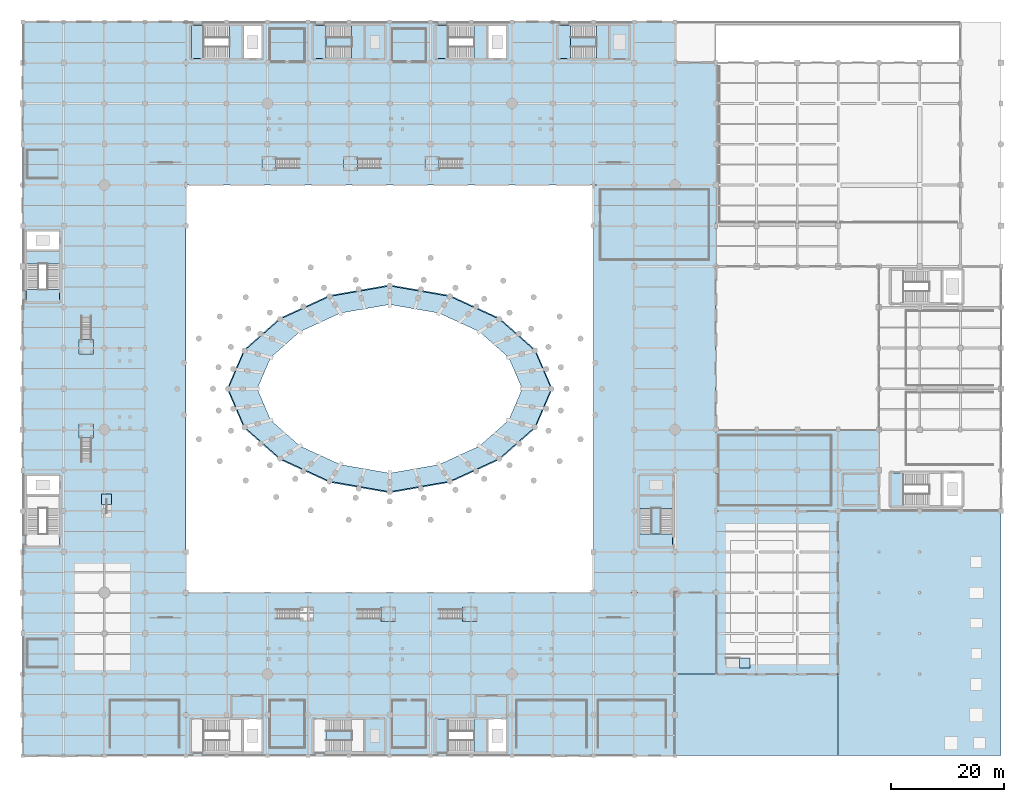
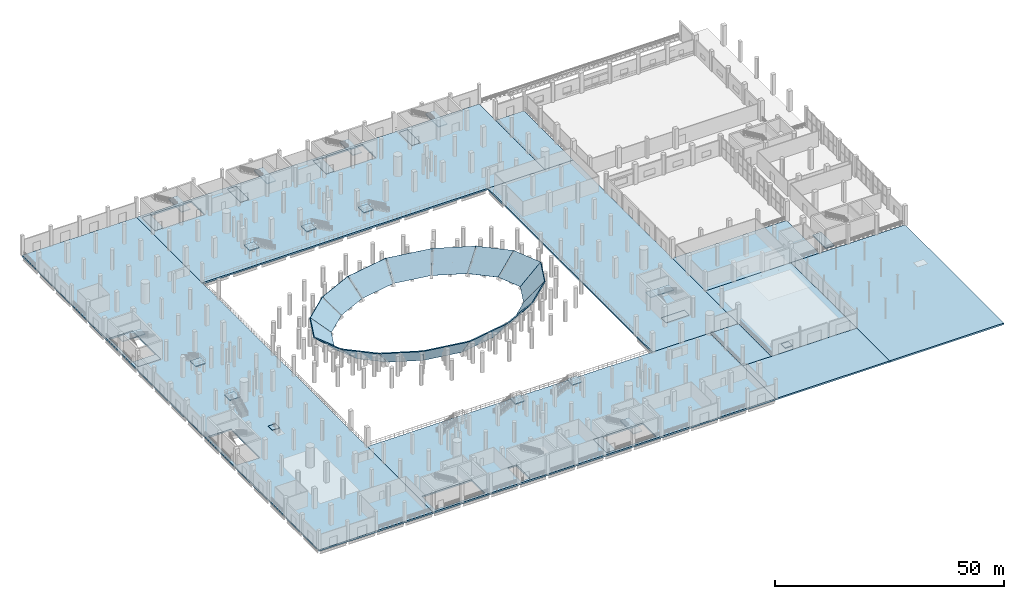
# One storey, part 29 of 58: 50 slabs, 9 elements without a shape of their own.
"""IFC4 building model written with IfcOpenShell, lengths in metres."""

from ifc_helpers import new_model, si_unit, direction, frame, origin, place, context, subcontext, project, spatial, polyline, outline, extrude, material, layer, layer_set, type_object, element, aggregate, save


model = new_model("IFC4")

# Units and contexts
model_context = context("Model", 3, precision=1e-05, world=origin(), true_north=direction((0.0, 1.0)))
body_context = subcontext(model_context, "Body", "Model", "MODEL_VIEW")
ifc_project = project(units=[si_unit("LENGTHUNIT", "METRE"), si_unit("AREAUNIT", "SQUARE_METRE"), si_unit("VOLUMEUNIT", "CUBIC_METRE"), si_unit("PLANEANGLEUNIT", "RADIAN"), si_unit("MASSUNIT", "GRAM", prefix="KILO")], contexts=[model_context])

# Site, building, storey
site_placement = place(None, origin())
site = spatial("IfcSite", under=ifc_project, at=site_placement, CompositionType="ELEMENT")
building_placement = place(site_placement, origin())
building = spatial("IfcBuilding", under=site, at=building_placement, Name="Qandorah Velis Arena", CompositionType="ELEMENT")
storey_placement = place(building_placement, origin())
storey = spatial("IfcBuildingStorey", under=building, at=storey_placement, Name="L00", CompositionType="ELEMENT", Elevation=0.0)

# Slabs
ifc_material_1 = material(Name="Concrete C40/50", Category="concrete")
ifc_layer_1 = layer(ifc_material_1, 0.300048828125)
ifc_layer_set_1 = layer_set([ifc_layer_1], Name="Concrete C40/50")
slab_type_1 = type_object("IfcSlabType", Name="STR-SLB-FL300", PredefinedType="FLOOR", material=ifc_layer_set_1)
slab_1_placement = place(storey_placement, frame((0.0, 0.0, -0.300048828125)))
element("IfcSlab", 1, at=slab_1_placement, inside=storey, type_object=slab_type_1, Name="South-east concourse plaza apron", PredefinedType="FLOOR", context=body_context, shape_type="SweptSolid", body=[
    extrude(outline(polyline([(115.199951171875, 14.39990234375), (122.39990234375, 14.39990234375), (122.39990234375, 28.800048828125), (115.199951171875, 28.800048828125), (115.199951171875, 14.39990234375)])), origin(), (0.0, 0.0, 1.0), 0.300048828125),
])
slab_2_placement = place(storey_placement, frame((0.0, 0.0, -0.300048828125)))
element("IfcSlab", 2, at=slab_2_placement, inside=storey, type_object=slab_type_1, Name="North-east concourse plaza apron", PredefinedType="FLOOR", context=body_context, shape_type="SweptSolid", body=[
    extrude(outline(polyline([(115.199951171875, 100.800048828125), (122.39990234375, 100.800048828125), (122.39990234375, 122.39990234375), (115.199951171875, 122.39990234375), (115.199951171875, 100.800048828125)])), origin(), (0.0, 0.0, 1.0), 0.300048828125),
])
ifc_layer_2 = layer(ifc_material_1, 0.219970703125)
ifc_layer_set_2 = layer_set([ifc_layer_2], Name="Concrete C40/50")
slab_type_2 = type_object("IfcSlabType", Name="STR-SLB-LND220", PredefinedType="LANDING", material=ifc_layer_set_2)
slab_3_placement = place(storey_placement, frame((0.0, 0.0, -0.219970703125)))
element("IfcSlab", 3, at=slab_3_placement, inside=storey, type_object=slab_type_2, Name="Stair ST2 storey landing slab L00", PredefinedType="LANDING", context=body_context, shape_type="SweptSolid", body=[
    extrude(outline(polyline([(72.949951171875, 0.64990234375), (75.14990234375, 0.64990234375), (75.14990234375, 6.449951171875), (72.949951171875, 6.449951171875), (72.949951171875, 0.64990234375)])), origin(), (0.0, 0.0, 1.0), 0.219970703125),
])

# Stair, slab
stair_type = type_object("IfcStairType", Name="ARC-ST-CORE54", PredefinedType="HALF_TURN_STAIR", material=ifc_material_1)
stair_1_placement = place(storey_placement, origin())
stair_1 = element("IfcStair", 4, at=stair_1_placement, inside=storey, type_object=stair_type, Name="Protected exit stair ST2 (L00)", PredefinedType="HALF_TURN_STAIR")
slab_4_placement = place(storey_placement, frame((0.0, 0.0, 2.47998046875)))
slab_4 = element("IfcSlab", 5, at=slab_4_placement, type_object=slab_type_2, Name="ST2 landing 1", PredefinedType="LANDING", context=body_context, shape_type="SweptSolid", body=[
    extrude(outline(polyline([(79.68603515625, 0.64990234375), (81.93603515625, 0.64990234375), (81.93603515625, 6.449951171875), (79.68603515625, 6.449951171875), (79.68603515625, 0.64990234375)])), origin(), (0.0, 0.0, 1.0), 0.219970703125),
])
aggregate(stair_1, [slab_4])

# Slab
slab_5_placement = place(storey_placement, frame((0.0, 0.0, -0.219970703125)))
element("IfcSlab", 6, at=slab_5_placement, inside=storey, type_object=slab_type_2, Name="Stair ST3 storey landing slab L00", PredefinedType="LANDING", context=body_context, shape_type="SweptSolid", body=[
    extrude(outline(polyline([(29.75, 123.14990234375), (31.949951171875, 123.14990234375), (31.949951171875, 128.949951171875), (29.75, 128.949951171875), (29.75, 123.14990234375)])), origin(), (0.0, 0.0, 1.0), 0.219970703125),
])

# Stair, slab
stair_2_placement = place(storey_placement, origin())
stair_2 = element("IfcStair", 7, at=stair_2_placement, inside=storey, type_object=stair_type, Name="Protected exit stair ST3 (L00)", PredefinedType="HALF_TURN_STAIR")
slab_6_placement = place(storey_placement, frame((0.0, 0.0, 2.47998046875)))
slab_6 = element("IfcSlab", 8, at=slab_6_placement, type_object=slab_type_2, Name="ST3 landing 1", PredefinedType="LANDING", context=body_context, shape_type="SweptSolid", body=[
    extrude(outline(polyline([(36.486083984375, 123.14990234375), (38.736083984375, 123.14990234375), (38.736083984375, 128.949951171875), (36.486083984375, 128.949951171875), (36.486083984375, 123.14990234375)])), origin(), (0.0, 0.0, 1.0), 0.219970703125),
])
aggregate(stair_2, [slab_6])

# Slab
slab_7_placement = place(storey_placement, frame((0.0, 0.0, -0.219970703125)))
element("IfcSlab", 9, at=slab_7_placement, inside=storey, type_object=slab_type_2, Name="Stair ST4 storey landing slab L00", PredefinedType="LANDING", context=body_context, shape_type="SweptSolid", body=[
    extrude(outline(polyline([(72.949951171875, 123.14990234375), (75.14990234375, 123.14990234375), (75.14990234375, 128.949951171875), (72.949951171875, 128.949951171875), (72.949951171875, 123.14990234375)])), origin(), (0.0, 0.0, 1.0), 0.219970703125),
])

# Stair, slab
stair_3_placement = place(storey_placement, origin())
stair_3 = element("IfcStair", 10, at=stair_3_placement, inside=storey, type_object=stair_type, Name="Protected exit stair ST4 (L00)", PredefinedType="HALF_TURN_STAIR")
slab_8_placement = place(storey_placement, frame((0.0, 0.0, 2.47998046875)))
slab_8 = element("IfcSlab", 11, at=slab_8_placement, type_object=slab_type_2, Name="ST4 landing 1", PredefinedType="LANDING", context=body_context, shape_type="SweptSolid", body=[
    extrude(outline(polyline([(79.68603515625, 123.14990234375), (81.93603515625, 123.14990234375), (81.93603515625, 128.949951171875), (79.68603515625, 128.949951171875), (79.68603515625, 123.14990234375)])), origin(), (0.0, 0.0, 1.0), 0.219970703125),
])
aggregate(stair_3, [slab_8])

# Slab
slab_9_placement = place(storey_placement, frame((0.0, 0.0, -0.219970703125)))
element("IfcSlab", 12, at=slab_9_placement, inside=storey, type_object=slab_type_2, Name="Stair ST6 storey landing slab L00", PredefinedType="LANDING", context=body_context, shape_type="SweptSolid", body=[
    extrude(outline(polyline([(0.64990234375, 80.14990234375), (6.449951171875, 80.14990234375), (6.449951171875, 82.35009765625), (0.64990234375, 82.35009765625), (0.64990234375, 80.14990234375)])), origin(), (0.0, 0.0, 1.0), 0.219970703125),
])

# Stair, slab
stair_4_placement = place(storey_placement, origin())
stair_4 = element("IfcStair", 13, at=stair_4_placement, inside=storey, type_object=stair_type, Name="Protected exit stair ST6 (L00)", PredefinedType="HALF_TURN_STAIR")
slab_10_placement = place(storey_placement, frame((0.0, 0.0, 2.47998046875)))
slab_10 = element("IfcSlab", 14, at=slab_10_placement, type_object=slab_type_2, Name="ST6 landing 1", PredefinedType="LANDING", context=body_context, shape_type="SweptSolid", body=[
    extrude(outline(polyline([(0.64990234375, 86.885986328125), (6.449951171875, 86.885986328125), (6.449951171875, 89.135986328125), (0.64990234375, 89.135986328125), (0.64990234375, 86.885986328125)])), origin(), (0.0, 0.0, 1.0), 0.219970703125),
])
aggregate(stair_4, [slab_10])

# Slabs
slab_11_placement = place(storey_placement, frame((0.0, 0.0, -0.219970703125)))
element("IfcSlab", 15, at=slab_11_placement, inside=storey, type_object=slab_type_2, Name="Stair ST7 storey landing slab L00", PredefinedType="LANDING", context=body_context, shape_type="SweptSolid", body=[
    extrude(outline(polyline([(153.35009765625, 44.14990234375), (155.550048828125, 44.14990234375), (155.550048828125, 49.949951171875), (153.35009765625, 49.949951171875), (153.35009765625, 44.14990234375)])), origin(), (0.0, 0.0, 1.0), 0.219970703125),
])
slab_12_placement = place(storey_placement, frame((0.0, 0.0, -0.219970703125)))
element("IfcSlab", 16, at=slab_12_placement, inside=storey, type_object=slab_type_2, Name="Stair ST10 storey landing slab L00", PredefinedType="LANDING", context=body_context, shape_type="SweptSolid", body=[
    extrude(outline(polyline([(51.35009765625, 123.14990234375), (53.550048828125, 123.14990234375), (53.550048828125, 128.949951171875), (51.35009765625, 128.949951171875), (51.35009765625, 123.14990234375)])), origin(), (0.0, 0.0, 1.0), 0.219970703125),
])

# Stair, slab
stair_5_placement = place(storey_placement, origin())
stair_5 = element("IfcStair", 17, at=stair_5_placement, inside=storey, type_object=stair_type, Name="Protected exit stair ST10 (L00)", PredefinedType="HALF_TURN_STAIR")
slab_13_placement = place(storey_placement, frame((0.0, 0.0, 2.47998046875)))
slab_13 = element("IfcSlab", 18, at=slab_13_placement, type_object=slab_type_2, Name="ST10 landing 1", PredefinedType="LANDING", context=body_context, shape_type="SweptSolid", body=[
    extrude(outline(polyline([(58.0859375, 123.14990234375), (60.3359375, 123.14990234375), (60.3359375, 128.949951171875), (58.0859375, 128.949951171875), (58.0859375, 123.14990234375)])), origin(), (0.0, 0.0, 1.0), 0.219970703125),
])
aggregate(stair_5, [slab_13])

# Slab
slab_14_placement = place(storey_placement, frame((0.0, 0.0, -0.219970703125)))
element("IfcSlab", 19, at=slab_14_placement, inside=storey, type_object=slab_type_2, Name="Stair ST11 storey landing slab L00", PredefinedType="LANDING", context=body_context, shape_type="SweptSolid", body=[
    extrude(outline(polyline([(108.949951171875, 36.949951171875), (114.75, 36.949951171875), (114.75, 39.14990234375), (108.949951171875, 39.14990234375), (108.949951171875, 36.949951171875)])), origin(), (0.0, 0.0, 1.0), 0.219970703125),
])

# Stair, slab
stair_6_placement = place(storey_placement, origin())
stair_6 = element("IfcStair", 20, at=stair_6_placement, inside=storey, type_object=stair_type, Name="Protected exit stair ST11 (L00)", PredefinedType="HALF_TURN_STAIR")
slab_15_placement = place(storey_placement, frame((0.0, 0.0, 2.47998046875)))
slab_15 = element("IfcSlab", 21, at=slab_15_placement, type_object=slab_type_2, Name="ST11 landing 1", PredefinedType="LANDING", context=body_context, shape_type="SweptSolid", body=[
    extrude(outline(polyline([(108.949951171875, 43.68603515625), (114.75, 43.68603515625), (114.75, 45.93603515625), (108.949951171875, 45.93603515625), (108.949951171875, 43.68603515625)])), origin(), (0.0, 0.0, 1.0), 0.219970703125),
])
aggregate(stair_6, [slab_15])

# Slab
slab_16_placement = place(storey_placement, frame((0.0, 0.0, -0.219970703125)))
element("IfcSlab", 22, at=slab_16_placement, inside=storey, type_object=slab_type_2, Name="Stair ST12 storey landing slab L00", PredefinedType="LANDING", context=body_context, shape_type="SweptSolid", body=[
    extrude(outline(polyline([(94.550048828125, 123.14990234375), (96.75, 123.14990234375), (96.75, 128.949951171875), (94.550048828125, 128.949951171875), (94.550048828125, 123.14990234375)])), origin(), (0.0, 0.0, 1.0), 0.219970703125),
])

# Stair, slab
stair_7_placement = place(storey_placement, origin())
stair_7 = element("IfcStair", 23, at=stair_7_placement, inside=storey, type_object=stair_type, Name="Protected exit stair ST12 (L00)", PredefinedType="HALF_TURN_STAIR")
slab_17_placement = place(storey_placement, frame((0.0, 0.0, 2.47998046875)))
slab_17 = element("IfcSlab", 24, at=slab_17_placement, type_object=slab_type_2, Name="ST12 landing 1", PredefinedType="LANDING", context=body_context, shape_type="SweptSolid", body=[
    extrude(outline(polyline([(101.285888671875, 123.14990234375), (103.535888671875, 123.14990234375), (103.535888671875, 128.949951171875), (101.285888671875, 128.949951171875), (101.285888671875, 123.14990234375)])), origin(), (0.0, 0.0, 1.0), 0.219970703125),
])
aggregate(stair_7, [slab_17])

# Ramp, slab
ramp_type = type_object("IfcRampType", Name="ARC-RMP-PED1800", PredefinedType="TWO_STRAIGHT_RUN_RAMP", material=ifc_material_1)
ramp_1_placement = place(storey_placement, origin())
ramp_1 = element("IfcRamp", 25, at=ramp_1_placement, inside=storey, type_object=ramp_type, Name="Accessible pedestrian threshold ramp PR1", PredefinedType="TWO_STRAIGHT_RUN_RAMP")
slab_18_placement = place(storey_placement, origin())
slab_18 = element("IfcSlab", 26, at=slab_18_placement, type_object=slab_type_2, Name="Accessible pedestrian threshold ramp PR1 landing 1", PredefinedType="LANDING", context=body_context, shape_type="SweptSolid", body=[
    extrude(outline(polyline([(126.60009765625, 15.5), (128.39990234375, 15.5), (128.39990234375, 17.300048828125), (126.60009765625, 17.300048828125), (126.60009765625, 15.5)])), origin(), (0.0, 0.0, 1.0), 0.14990234375),
])
aggregate(ramp_1, [slab_18])

ramp_2_placement = place(storey_placement, origin())
ramp_2 = element("IfcRamp", 27, at=ramp_2_placement, inside=storey, type_object=ramp_type, Name="Accessible pedestrian threshold ramp PR2", PredefinedType="TWO_STRAIGHT_RUN_RAMP")
slab_19_placement = place(storey_placement, origin())
slab_19 = element("IfcSlab", 28, at=slab_19_placement, type_object=slab_type_2, Name="Accessible pedestrian threshold ramp PR2 landing 1", PredefinedType="LANDING", context=body_context, shape_type="SweptSolid", body=[
    extrude(outline(polyline([(13.89990234375, 44.39990234375), (15.699951171875, 44.39990234375), (15.699951171875, 46.199951171875), (13.89990234375, 46.199951171875), (13.89990234375, 44.39990234375)])), origin(), (0.0, 0.0, 1.0), 0.14990234375),
])
aggregate(ramp_2, [slab_19])

# Slabs
ifc_layer_3 = layer(ifc_material_1, 0.419921875)
ifc_layer_set_3 = layer_set([ifc_layer_3], Name="Concrete C40/50")
slab_type_3 = type_object("IfcSlabType", Name="STR-SLB-PLZ420", PredefinedType="FLOOR", material=ifc_layer_set_3)
slab_20_placement = place(storey_placement, frame((0.0, 0.0, -0.419921875)))
element("IfcSlab", 29, at=slab_20_placement, inside=storey, type_object=slab_type_3, Name="Structural floor slab L00_WEST_CONC", PredefinedType="FLOOR", context=body_context, shape_type="SweptSolid", body=[
    extrude(outline(polyline([(28.800048828125, 0.0), (0.0, 0.0), (0.0, 129.60009765625), (28.800048828125, 129.60009765625), (28.800048828125, 0.0)]), holes=[polyline([(6.455078125, 36.945068359375), (6.455078125, 39.155029296875), (6.455078125, 49.455078125), (0.64501953125, 49.455078125), (0.64501953125, 39.155029296875), (0.64501953125, 36.945068359375), (6.455078125, 36.945068359375)]), polyline([(0.64501953125, 80.14501953125), (6.455078125, 80.14501953125), (6.455078125, 82.35498046875), (6.455078125, 92.655029296875), (0.64501953125, 92.655029296875), (0.64501953125, 82.35498046875), (0.64501953125, 80.14501953125)])]), origin(), (0.0, 0.0, 1.0), 0.419921875),
])
slab_21_placement = place(storey_placement, frame((0.0, 0.0, -0.419921875)))
element("IfcSlab", 30, at=slab_21_placement, inside=storey, type_object=slab_type_3, Name="Structural floor slab L00_SOUTH_CONC", PredefinedType="FLOOR", context=body_context, shape_type="SweptSolid", body=[
    extrude(outline(polyline([(28.800048828125, 0.0), (28.800048828125, 28.800048828125), (115.199951171875, 28.800048828125), (115.199951171875, 0.0), (28.800048828125, 0.0)]), holes=[polyline([(42.2548828125, 0.64501953125), (42.2548828125, 6.455078125), (31.955078125, 6.455078125), (29.7451171875, 6.455078125), (29.7451171875, 0.64501953125), (31.955078125, 0.64501953125), (42.2548828125, 0.64501953125)]), polyline([(75.155029296875, 0.64501953125), (85.455078125, 0.64501953125), (85.455078125, 6.455078125), (75.155029296875, 6.455078125), (72.945068359375, 6.455078125), (72.945068359375, 0.64501953125), (75.155029296875, 0.64501953125)]), polyline([(51.344970703125, 0.64501953125), (53.554931640625, 0.64501953125), (53.554931640625, 6.455078125), (51.344970703125, 6.455078125), (51.344970703125, 0.64501953125)])]), origin(), (0.0, 0.0, 1.0), 0.419921875),
])
slab_22_placement = place(storey_placement, frame((0.0, 0.0, -0.419921875)))
element("IfcSlab", 31, at=slab_22_placement, inside=storey, type_object=slab_type_3, Name="Structural floor slab L00_NORTH_CONC", PredefinedType="FLOOR", context=body_context, shape_type="SweptSolid", body=[
    extrude(outline(polyline([(28.800048828125, 129.60009765625), (115.199951171875, 129.60009765625), (115.199951171875, 100.800048828125), (28.800048828125, 100.800048828125), (28.800048828125, 129.60009765625)]), holes=[polyline([(29.7451171875, 128.955078125), (29.7451171875, 128.955078125), (29.7451171875, 123.14501953125), (31.955078125, 123.14501953125), (42.2548828125, 123.14501953125), (42.2548828125, 128.955078125), (31.955078125, 128.955078125), (31.955078125, 128.955078125), (29.7451171875, 128.955078125)]), polyline([(75.155029296875, 128.955078125), (72.945068359375, 128.955078125), (72.945068359375, 128.955078125), (72.945068359375, 123.14501953125), (75.155029296875, 123.14501953125), (85.455078125, 123.14501953125), (85.455078125, 128.955078125), (75.155029296875, 128.955078125), (75.155029296875, 128.955078125)]), polyline([(53.554931640625, 123.14501953125), (53.554931640625, 128.955078125), (51.344970703125, 128.955078125), (51.344970703125, 123.14501953125), (53.554931640625, 123.14501953125)]), polyline([(94.544921875, 123.14501953125), (96.7548828125, 123.14501953125), (96.7548828125, 128.955078125), (94.544921875, 128.955078125), (94.544921875, 123.14501953125)])]), origin(), (0.0, 0.0, 1.0), 0.419921875),
])
slab_23_placement = place(storey_placement, frame((0.0, 0.0, -0.419921875)))
element("IfcSlab", 32, at=slab_23_placement, inside=storey, type_object=slab_type_3, Name="Structural floor slab L00_EAST_SPINE", PredefinedType="FLOOR", context=body_context, shape_type="SweptSolid", body=[
    extrude(outline(polyline([(100.800048828125, 28.800048828125), (100.800048828125, 100.800048828125), (122.39990234375, 100.800048828125), (122.39990234375, 28.800048828125), (100.800048828125, 28.800048828125)]), holes=[polyline([(114.7548828125, 39.155029296875), (108.945068359375, 39.155029296875), (108.945068359375, 36.945068359375), (114.7548828125, 36.945068359375), (114.7548828125, 39.155029296875)])]), origin(), (0.0, 0.0, 1.0), 0.419921875),
])
slab_24_placement = place(storey_placement, frame((0.0, 0.0, -0.419921875)))
element("IfcSlab", 33, at=slab_24_placement, inside=storey, type_object=slab_type_3, Name="Structural floor slab L00_FOYER", PredefinedType="FLOOR", context=body_context, shape_type="SweptSolid", body=[
    extrude(outline(polyline([(144.0, 14.39990234375), (144.0, 43.199951171875), (122.39990234375, 43.199951171875), (122.39990234375, 14.39990234375), (144.0, 14.39990234375)])), origin(), (0.0, 0.0, 1.0), 0.419921875),
])
slab_25_placement = place(storey_placement, frame((0.0, 0.0, -0.419921875)))
element("IfcSlab", 34, at=slab_25_placement, inside=storey, type_object=slab_type_3, Name="Structural floor slab L00_TCK_HALL", PredefinedType="FLOOR", context=body_context, shape_type="SweptSolid", body=[
    extrude(outline(polyline([(151.199951171875, 43.199951171875), (151.199951171875, 57.60009765625), (122.39990234375, 57.60009765625), (122.39990234375, 43.199951171875), (151.199951171875, 43.199951171875)])), origin(), (0.0, 0.0, 1.0), 0.419921875),
])
slab_26_placement = place(storey_placement, frame((0.0, 0.0, -0.419921875)))
element("IfcSlab", 35, at=slab_26_placement, inside=storey, type_object=slab_type_3, Name="South-east metro arrival plaza deck", PredefinedType="FLOOR", context=body_context, shape_type="SweptSolid", body=[
    extrude(outline(polyline([(144.0, 0.0), (172.800048828125, 0.0), (172.800048828125, 43.199951171875), (144.0, 43.199951171875), (144.0, 0.0)])), origin(), (0.0, 0.0, 1.0), 0.419921875),
])
slab_27_placement = place(storey_placement, frame((0.0, 0.0, -0.419921875)))
element("IfcSlab", 36, at=slab_27_placement, inside=storey, type_object=slab_type_3, Name="South-east foyer arrival apron", PredefinedType="FLOOR", context=body_context, shape_type="SweptSolid", body=[
    extrude(outline(polyline([(115.199951171875, 0.0), (144.0, 0.0), (144.0, 14.39990234375), (115.199951171875, 14.39990234375), (115.199951171875, 0.0)])), origin(), (0.0, 0.0, 1.0), 0.419921875),
])
ifc_material_2 = material(Name="Precast concrete C40/50", Category="concrete")
ifc_layer_4 = layer(ifc_material_2, 0.239990234375)
ifc_layer_set_4 = layer_set([ifc_layer_4], Name="Precast concrete C40/50")
slab_type_4 = type_object("IfcSlabType", Name="STR-SLB-TIER240", PredefinedType="USERDEFINED", material=ifc_layer_set_4)
slab_28_placement = place(storey_placement, frame((0.0, 0.0, 2.159912109375)))
element("IfcSlab", 37, at=slab_28_placement, inside=storey, type_object=slab_type_4, Name="Vomitory VS2 lower tier arrival landing slab", ObjectType="SEATING TIER", PredefinedType="USERDEFINED", context=body_context, shape_type="SweptSolid", body=[
    extrude(outline(polyline([(63.300048828125, 23.75), (65.800048828125, 23.75), (65.800048828125, 26.25), (63.300048828125, 26.25), (63.300048828125, 23.75)])), origin(), (0.0, 0.0, 1.0), 0.239990234375),
])
slab_29_placement = place(storey_placement, frame((0.0, 0.0, 2.159912109375)))
element("IfcSlab", 38, at=slab_29_placement, inside=storey, type_object=slab_type_4, Name="Vomitory VS3 lower tier arrival landing slab", ObjectType="SEATING TIER", PredefinedType="USERDEFINED", context=body_context, shape_type="SweptSolid", body=[
    extrude(outline(polyline([(77.699951171875, 23.75), (80.199951171875, 23.75), (80.199951171875, 26.25), (77.699951171875, 26.25), (77.699951171875, 23.75)])), origin(), (0.0, 0.0, 1.0), 0.239990234375),
])
slab_30_placement = place(storey_placement, frame((0.0, 0.0, 2.159912109375)))
element("IfcSlab", 39, at=slab_30_placement, inside=storey, type_object=slab_type_4, Name="Vomitory VS4 lower tier arrival landing slab", ObjectType="SEATING TIER", PredefinedType="USERDEFINED", context=body_context, shape_type="SweptSolid", body=[
    extrude(outline(polyline([(42.199951171875, 103.35009765625), (44.699951171875, 103.35009765625), (44.699951171875, 105.85009765625), (42.199951171875, 105.85009765625), (42.199951171875, 103.35009765625)])), origin(), (0.0, 0.0, 1.0), 0.239990234375),
])
slab_31_placement = place(storey_placement, frame((0.0, 0.0, 2.159912109375)))
element("IfcSlab", 40, at=slab_31_placement, inside=storey, type_object=slab_type_4, Name="Vomitory VS5 lower tier arrival landing slab", ObjectType="SEATING TIER", PredefinedType="USERDEFINED", context=body_context, shape_type="SweptSolid", body=[
    extrude(outline(polyline([(56.60009765625, 103.35009765625), (59.10009765625, 103.35009765625), (59.10009765625, 105.85009765625), (56.60009765625, 105.85009765625), (56.60009765625, 103.35009765625)])), origin(), (0.0, 0.0, 1.0), 0.239990234375),
])
slab_32_placement = place(storey_placement, frame((0.0, 0.0, 2.159912109375)))
element("IfcSlab", 41, at=slab_32_placement, inside=storey, type_object=slab_type_4, Name="Vomitory VS6 lower tier arrival landing slab", ObjectType="SEATING TIER", PredefinedType="USERDEFINED", context=body_context, shape_type="SweptSolid", body=[
    extrude(outline(polyline([(71.0, 103.35009765625), (73.5, 103.35009765625), (73.5, 105.85009765625), (71.0, 105.85009765625), (71.0, 103.35009765625)])), origin(), (0.0, 0.0, 1.0), 0.239990234375),
])
slab_33_placement = place(storey_placement, frame((0.0, 0.0, 2.159912109375)))
element("IfcSlab", 42, at=slab_33_placement, inside=storey, type_object=slab_type_4, Name="Vomitory VS7 lower tier arrival landing slab", ObjectType="SEATING TIER", PredefinedType="USERDEFINED", context=body_context, shape_type="SweptSolid", body=[
    extrude(outline(polyline([(9.949951171875, 56.10009765625), (12.449951171875, 56.10009765625), (12.449951171875, 58.60009765625), (9.949951171875, 58.60009765625), (9.949951171875, 56.10009765625)])), origin(), (0.0, 0.0, 1.0), 0.239990234375),
])
slab_34_placement = place(storey_placement, frame((0.0, 0.0, 2.159912109375)))
element("IfcSlab", 43, at=slab_34_placement, inside=storey, type_object=slab_type_4, Name="Vomitory VS8 lower tier arrival landing slab", ObjectType="SEATING TIER", PredefinedType="USERDEFINED", context=body_context, shape_type="SweptSolid", body=[
    extrude(outline(polyline([(9.949951171875, 71.0), (12.449951171875, 71.0), (12.449951171875, 73.5), (9.949951171875, 73.5), (9.949951171875, 71.0)])), origin(), (0.0, 0.0, 1.0), 0.239990234375),
])
slab_35_placement = place(storey_placement, frame((88.199951171875, 64.800048828125, 0.0), z_axis=(-0.65439897113, -0.281387792419, 0.701842501465), x_axis=(-0.39503019701, 0.918668135614, -7.631117e-06)))
element("IfcSlab", 44, at=slab_35_placement, inside=storey, type_object=slab_type_4, Name="Stand lower tier bay 01", ObjectType="SEATING TIER", PredefinedType="USERDEFINED", context=body_context, shape_type="SweptSolid", body=[
    extrude(outline(polyline([(0.0, 0.0), (6.033720987398134, 0.0), (5.32745155400768, -6.738555082434999), (-2.0336320238130745, -6.738411585724852), (0.0, 0.0)])), origin(), (0.0, 0.0, -1.0), 0.239990234375),
])
slab_36_placement = place(storey_placement, frame((85.81640625, 70.343017578125, 0.0), z_axis=(-0.509916035607, -0.57721141199, 0.637818643894), x_axis=(-0.749439654175, 0.662072658171, 7.206561e-06)))
element("IfcSlab", 45, at=slab_36_placement, inside=storey, type_object=slab_type_4, Name="Stand lower tier bay 02", ObjectType="SEATING TIER", PredefinedType="USERDEFINED", context=body_context, shape_type="SweptSolid", body=[
    extrude(outline(polyline([(0.0, 0.0), (6.880844769766203, 0.0), (5.736987538257171, -6.232265753050423), (-2.6578229967431453, -6.232408685877007), (0.0, 0.0)])), origin(), (0.0, 0.0, -1.0), 0.239990234375),
])
slab_37_placement = place(storey_placement, frame((80.65966796875, 74.898681640625, 0.0), z_axis=(-0.337904760866, -0.73620664517, 0.586361789505), x_axis=(-0.908841688092, 0.417141206292, 3.32162e-07)))
element("IfcSlab", 46, at=slab_37_placement, inside=storey, type_object=slab_type_4, Name="Stand lower tier bay 03", ObjectType="SEATING TIER", PredefinedType="USERDEFINED", context=body_context, shape_type="SweptSolid", body=[
    extrude(outline(polyline([(0.0, 0.0), (7.871886243277083, 2.220446049250313e-16), (7.359522506928402, -5.925622606390544), (-2.244205336090971, -5.9256297722863085), (0.0, 0.0)])), origin(), (0.0, 0.0, -1.0), 0.239990234375),
])
slab_38_placement = place(storey_placement, frame((73.50537109375, 78.182373046875, 0.0), z_axis=(-0.142497712641, -0.817379270811, 0.558198467877), x_axis=(-0.985141898789, 0.171742362975, -3.260109e-06)))
element("IfcSlab", 47, at=slab_38_placement, inside=storey, type_object=slab_type_4, Name="Stand lower tier bay 04", ObjectType="SEATING TIER", PredefinedType="USERDEFINED", context=body_context, shape_type="SweptSolid", body=[
    extrude(outline(polyline([(0.0, 0.0), (8.836610159512603, 2.220446049250313e-16), (9.399579058602201, -5.78526733669181), (-1.3809755849555378, -5.7851902564051345), (0.0, 0.0)])), origin(), (0.0, 0.0, -1.0), 0.239990234375),
])
slab_39_placement = place(storey_placement, frame((64.800048828125, 79.699951171875, 0.0), z_axis=(0.142495689368, -0.817377990916, 0.558200858542), x_axis=(-0.985142151495, -0.171740913423, 2.270206e-06)))
element("IfcSlab", 48, at=slab_39_placement, inside=storey, type_object=slab_type_4, Name="Stand lower tier bay 05", ObjectType="SEATING TIER", PredefinedType="USERDEFINED", context=body_context, shape_type="SweptSolid", body=[
    extrude(outline(polyline([(0.0, 0.0), (8.836610159590233, -1.1102230246251565e-16), (10.217826257740446, -5.785213660523069), (-0.5629688989293951, -5.785267336825973), (0.0, 0.0)])), origin(), (0.0, 0.0, -1.0), 0.239990234375),
])
slab_40_placement = place(storey_placement, frame((56.0947265625, 78.182373046875, 0.0), z_axis=(0.337899036573, -0.736205489913, 0.586366538698), x_axis=(-0.908845138622, -0.417133688394, 3.044702e-06)))
element("IfcSlab", 49, at=slab_40_placement, inside=storey, type_object=slab_type_4, Name="Stand lower tier bay 06", ObjectType="SEATING TIER", PredefinedType="USERDEFINED", context=body_context, shape_type="SweptSolid", body=[
    extrude(outline(polyline([(0.0, 0.0), (7.8721081289620045, -2.220446049250313e-16), (10.116358415476109, -5.925612747942232), (0.5126305727646499, -5.925678434000597), (0.0, 0.0)])), origin(), (0.0, 0.0, -1.0), 0.239990234375),
])
slab_41_placement = place(storey_placement, frame((48.940185546875, 74.898681640625, 0.0), z_axis=(0.509925311325, -0.577209602254, 0.637812865922), x_axis=(-0.749435498484, -0.662077362253, -2.008496e-06)))
element("IfcSlab", 50, at=slab_41_placement, inside=storey, type_object=slab_type_4, Name="Stand lower tier bay 07", ObjectType="SEATING TIER", PredefinedType="USERDEFINED", context=body_context, shape_type="SweptSolid", body=[
    extrude(outline(polyline([(0.0, 0.0), (6.880844770171299, 0.0), (9.538484798688819, -6.232305588550508), (1.1438572322518787, -6.232265753361334), (0.0, 0.0)])), origin(), (0.0, 0.0, -1.0), 0.239990234375),
])
slab_42_placement = place(storey_placement, frame((43.783447265625, 70.343017578125, 0.0), z_axis=(0.65440346627, -0.281402708726, 0.701832329588), x_axis=(-0.395038002232, -0.918664779336, -7.39988e-07)))
element("IfcSlab", 51, at=slab_42_placement, inside=storey, type_object=slab_type_4, Name="Stand lower tier bay 08", ObjectType="SEATING TIER", PredefinedType="USERDEFINED", context=body_context, shape_type="SweptSolid", body=[
    extrude(outline(polyline([(0.0, 0.0), (6.033720987751439, 2.220446049250313e-16), (8.067353010738826, -6.738411586290399), (0.7061729893993962, -6.738397671533514), (0.0, 0.0)])), origin(), (0.0, 0.0, -1.0), 0.239990234375),
])
slab_43_placement = place(storey_placement, frame((41.39990234375, 64.800048828125, 0.0), z_axis=(0.654406173836, 0.281392707305, 0.70183381503), x_axis=(0.39502405689, -0.918670775891, 1.531855e-06)))
element("IfcSlab", 52, at=slab_43_placement, inside=storey, type_object=slab_type_4, Name="Stand lower tier bay 09", ObjectType="SEATING TIER", PredefinedType="USERDEFINED", context=body_context, shape_type="SweptSolid", body=[
    extrude(outline(polyline([(0.0, 0.0), (6.033945271977019, -2.220446049250313e-16), (5.327847873053692, -6.738405592852532), (-2.0335564320713515, -6.738434398925369), (0.0, 0.0)])), origin(), (0.0, 0.0, -1.0), 0.239990234375),
])
slab_44_placement = place(storey_placement, frame((43.783447265625, 59.2568359375, 0.0), z_axis=(0.509914811449, 0.577211650823, 0.63781940643), x_axis=(0.749447364715, -0.662063930066, -5.170189e-06)))
element("IfcSlab", 53, at=slab_44_placement, inside=storey, type_object=slab_type_4, Name="Stand lower tier bay 10", ObjectType="SEATING TIER", PredefinedType="USERDEFINED", context=body_context, shape_type="SweptSolid", body=[
    extrude(outline(polyline([(0.0, 0.0), (6.880683131987258, 0.0), (5.736881834942328, -6.232363054465939), (-2.65774573080552, -6.232260512687207), (0.0, 0.0)])), origin(), (0.0, 0.0, -1.0), 0.239990234375),
])
slab_45_placement = place(storey_placement, frame((48.940185546875, 54.701416015625, 0.0), z_axis=(0.337886564824, 0.736202972777, 0.586376885787), x_axis=(0.908848613829, -0.417126116579, 2.986094e-06)))
element("IfcSlab", 54, at=slab_45_placement, inside=storey, type_object=slab_type_4, Name="Stand lower tier bay 11", ObjectType="SEATING TIER", PredefinedType="USERDEFINED", context=body_context, shape_type="SweptSolid", body=[
    extrude(outline(polyline([(0.0, 0.0), (7.872108128966055, -2.220446049250313e-16), (7.359477556193569, -5.925678434005299), (-2.2441484481587413, -5.925742855872516), (0.0, 0.0)])), origin(), (0.0, 0.0, -1.0), 0.239990234375),
])
slab_46_placement = place(storey_placement, frame((56.0947265625, 51.417724609375, 0.0), z_axis=(0.142507295101, 0.817385332432, 0.55818714529), x_axis=(0.985139245386, -0.171757582597, 4.657203e-06)))
element("IfcSlab", 55, at=slab_46_placement, inside=storey, type_object=slab_type_4, Name="Stand lower tier bay 12", ObjectType="SEATING TIER", PredefinedType="USERDEFINED", context=body_context, shape_type="SweptSolid", body=[
    extrude(outline(polyline([(0.0, 0.0), (8.836652090751201, -1.1102230246251565e-16), (9.39966695139657, -5.785124530961225), (-1.3811282046523539, -5.785234643976124), (0.0, 0.0)])), origin(), (0.0, 0.0, -1.0), 0.239990234375),
])
slab_47_placement = place(storey_placement, frame((64.800048828125, 49.89990234375, 0.0), z_axis=(-0.142509318548, 0.817386612389, 0.558184754372), x_axis=(0.985138992646, 0.171759032238, -3.667229e-06)))
element("IfcSlab", 56, at=slab_47_placement, inside=storey, type_object=slab_type_4, Name="Stand lower tier bay 13", ObjectType="SEATING TIER", PredefinedType="USERDEFINED", context=body_context, shape_type="SweptSolid", body=[
    extrude(outline(polyline([(0.0, 0.0), (8.836652090868062, -1.1102230246251565e-16), (10.217539783047634, -5.785211236413774), (-0.563014860404202, -5.7851245311631985), (0.0, 0.0)])), origin(), (0.0, 0.0, -1.0), 0.239990234375),
])
slab_48_placement = place(storey_placement, frame((73.50537109375, 51.417724609375, 0.0), z_axis=(-0.337892288927, 0.736204128078, 0.586372136858), x_axis=(0.908845163371, 0.417133634435, -6.363024e-06)))
element("IfcSlab", 57, at=slab_48_placement, inside=storey, type_object=slab_type_4, Name="Stand lower tier bay 14", ObjectType="SEATING TIER", PredefinedType="USERDEFINED", context=body_context, shape_type="SweptSolid", body=[
    extrude(outline(polyline([(0.0, 0.0), (7.871886242814868, 2.220446049250313e-16), (10.115989738745402, -5.925759879134487), (0.5123637354543369, -5.925622605853844), (0.0, 0.0)])), origin(), (0.0, 0.0, -1.0), 0.239990234375),
])
slab_49_placement = place(storey_placement, frame((80.65966796875, 54.701416015625, 0.0), z_axis=(-0.509905535818, 0.577213460448, 0.637825184215), x_axis=(0.749451520351, 0.662059225934, -2.7858e-08)))
element("IfcSlab", 58, at=slab_49_placement, inside=storey, type_object=slab_type_4, Name="Stand lower tier bay 15", ObjectType="SEATING TIER", PredefinedType="USERDEFINED", context=body_context, shape_type="SweptSolid", body=[
    extrude(outline(polyline([(0.0, 0.0), (6.880683132213309, 0.0), (9.53861183403656, -6.232363607162233), (1.1438012974594538, -6.232363054639427), (0.0, 0.0)])), origin(), (0.0, 0.0, -1.0), 0.239990234375),
])
slab_50_placement = place(storey_placement, frame((85.81640625, 59.2568359375, 0.0), z_axis=(-0.654401678434, 0.281377791424, 0.701843986763), x_axis=(0.395016251843, 0.91867413196, 6.839021e-06)))
element("IfcSlab", 59, at=slab_50_placement, inside=storey, type_object=slab_type_4, Name="Stand lower tier bay 16", ObjectType="SEATING TIER", PredefinedType="USERDEFINED", context=body_context, shape_type="SweptSolid", body=[
    extrude(outline(polyline([(0.0, 0.0), (6.033945271704923, 0.0), (8.06750170441217, -6.738434398489817), (0.7061938394824032, -6.73856300508322), (0.0, 0.0)])), origin(), (0.0, 0.0, -1.0), 0.239990234375),
])

save(model, "model.ifc")
